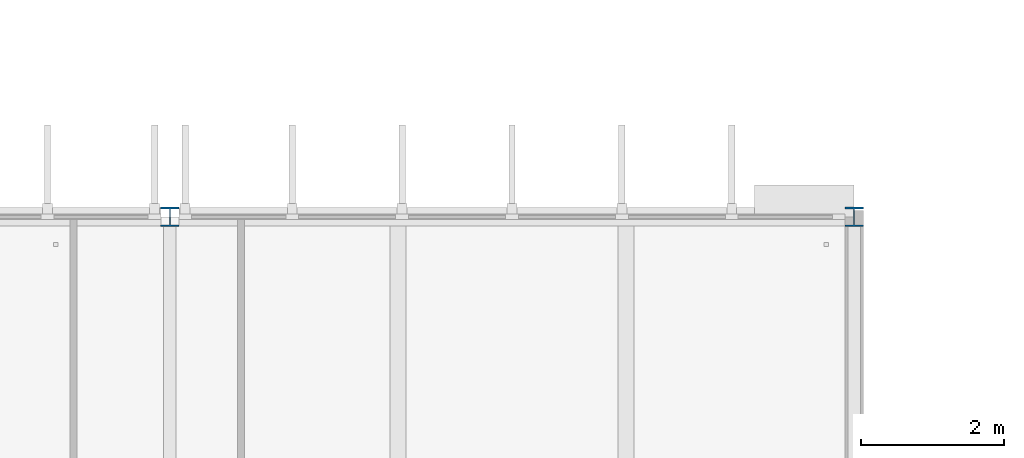
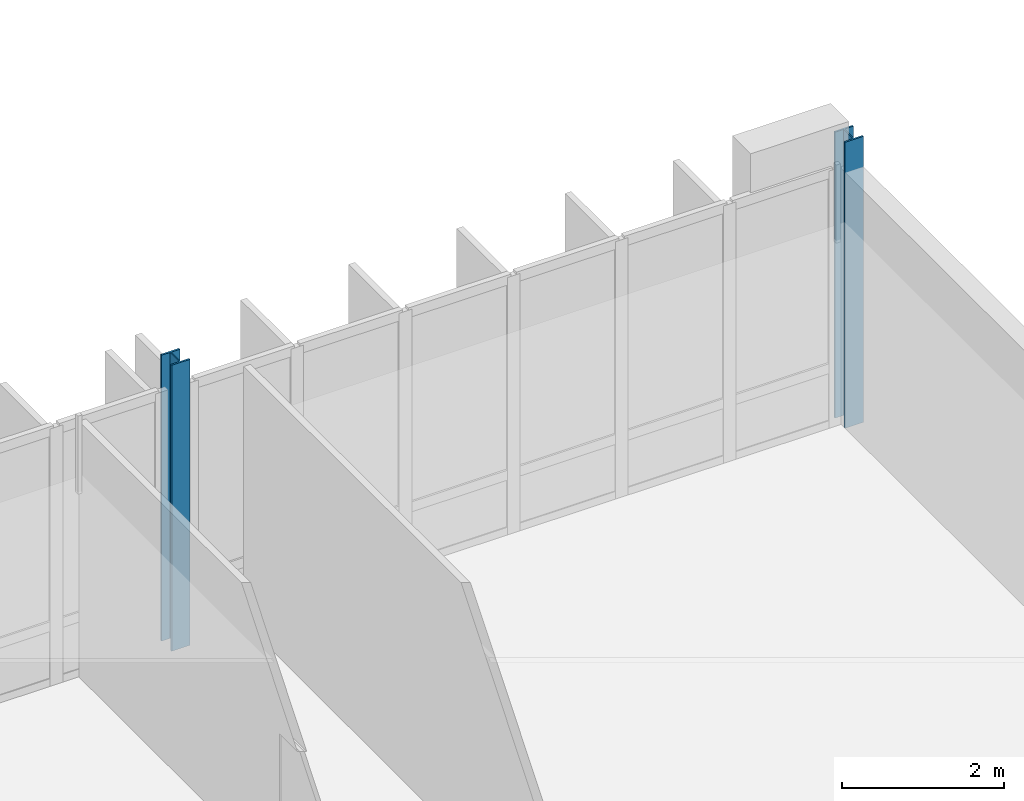
# One storey, part 8 of 59: 2 columns.
"""IFC4 building model written with IfcOpenShell, lengths in metres."""

import ifcopenshell
import ifcopenshell.guid

model = None  # the IFC model being written
_history = None  # IfcOwnerHistory: only IFC2X3 demands one
_inside = {}  # id of a spatial element -> (the spatial element, [elements in it])
_under = {}  # id of a project, library or spatial element -> (it, [spatial elements below it])
_declared = {}  # id of a project -> (the project, [libraries it declares])
_typed = {}  # id of a type object -> (the type object, [elements of that type])
_made_of = {}  # id of a material, layer set ... -> (it, [elements and type objects made of it])


def new_model(schema):
    """Start an empty IFC model of exactly this schema.

    Asked for "IFC4X3", IfcOpenShell would pick the latest addendum, in which some entities
    have other attributes; the version numbers below select the first issue.
    IFC2X3 requires an IfcOwnerHistory on every rooted entity: one is made here for all.
    """
    global model, _history
    if schema == "IFC4X3":
        model = ifcopenshell.file(schema_version=(4, 3, 0, 0))
    else:
        model = ifcopenshell.file(schema=schema)
    _inside.clear()
    _under.clear()
    _declared.clear()
    _typed.clear()
    _made_of.clear()
    _history = None
    if model.schema == "IFC2X3":
        org = make("IfcOrganization", Name="unknown")
        user = make(
            "IfcPersonAndOrganization",
            ThePerson=make("IfcPerson", FamilyName="unknown"),
            TheOrganization=org,
        )
        app = make(
            "IfcApplication",
            ApplicationDeveloper=org,
            Version="unknown",
            ApplicationFullName="unknown",
            ApplicationIdentifier="unknown",
        )
        _history = make(
            "IfcOwnerHistory",
            OwningUser=user,
            OwningApplication=app,
            ChangeAction="ADDED",
            CreationDate=0,
        )
    return model


def make(cls, **values):
    """One entity of the class cls with the attributes given. An attribute that is None is left unset."""
    return model.create_entity(
        cls, **{name: value for name, value in values.items() if value is not None}
    )


def rooted(cls, **values):
    """An entity with a GlobalId (a new one), such as an element, a storey or a relation."""
    return make(cls, GlobalId=ifcopenshell.guid.new(), OwnerHistory=_history, **values)


def si_unit(unit_type, name, prefix=None):
    """IfcSIUnit, for example si_unit("LENGTHUNIT", "METRE", prefix="MILLI")."""
    return make("IfcSIUnit", UnitType=unit_type, Prefix=prefix, Name=name)


def assignment(units):
    """IfcUnitAssignment: the units of a project."""
    return None if units is None else make("IfcUnitAssignment", Units=units)


def point(xyz):
    """IfcCartesianPoint."""
    return None if xyz is None else make("IfcCartesianPoint", Coordinates=xyz)


def direction(xyz):
    """IfcDirection."""
    return None if xyz is None else make("IfcDirection", DirectionRatios=xyz)


def frame(location, z_axis=None, x_axis=None):
    """IfcAxis2Placement3D, a coordinate frame: its origin and axes. An axis left out is left unset."""
    return make(
        "IfcAxis2Placement3D",
        Location=point(location),
        Axis=direction(z_axis),
        RefDirection=direction(x_axis),
    )


def frame_2d(location, x_axis=None):
    """IfcAxis2Placement2D, a coordinate frame in the plane: its origin and x axis."""
    return make(
        "IfcAxis2Placement2D", Location=point(location), RefDirection=direction(x_axis)
    )


def origin():
    """The frame at (0, 0, 0) with its axes left unset."""
    return frame((0.0, 0.0, 0.0))


def origin_2d():
    """The frame at (0, 0) in the plane with its x axis left unset."""
    return frame_2d((0.0, 0.0))


def place(relative_to, where):
    """IfcLocalPlacement: puts the frame where relative to a parent placement (None: the world)."""
    return make(
        "IfcLocalPlacement", PlacementRelTo=relative_to, RelativePlacement=where
    )


def context(
    kind, dimensions, precision=None, world=None, true_north=None, identifier=None
):
    """IfcGeometricRepresentationContext, for example the 3D "Model" context."""
    return make(
        "IfcGeometricRepresentationContext",
        ContextIdentifier=identifier,
        ContextType=kind,
        CoordinateSpaceDimension=dimensions,
        Precision=precision,
        WorldCoordinateSystem=world,
        TrueNorth=true_north,
    )


def subcontext(parent, identifier, kind, view, scale=None):
    """IfcGeometricRepresentationSubContext, for example "Body" below "Model"."""
    return make(
        "IfcGeometricRepresentationSubContext",
        ContextIdentifier=identifier,
        ContextType=kind,
        ParentContext=parent,
        TargetScale=scale,
        TargetView=view,
    )


def project(units=None, contexts=None):
    """IfcProject with its units and contexts."""
    return rooted(
        "IfcProject",
        Name="project",
        RepresentationContexts=contexts,
        UnitsInContext=assignment(units),
    )


def spatial(cls, under=None, at=None, **own):
    """A site, building, storey or space (cls), placed at a placement, below another one or the project."""
    s = rooted(cls, ObjectPlacement=at, **own)
    if under is not None:
        _under.setdefault(under.id(), (under, []))[1].append(s)
    return s


def profile(cls, at=None, kind="AREA", **sizes):
    """A parametric profile (cls). Its sizes go by their IFC names, for example OverallWidth=200.0."""
    return make(cls, ProfileType=kind, Position=at, **sizes)


def i_section(**sizes):
    """IfcIShapeProfileDef."""
    return profile("IfcIShapeProfileDef", **sizes)


def extrude(swept, where, along, depth):
    """IfcExtrudedAreaSolid: the profile swept, set in the frame where, extruded along a direction by depth."""
    return make(
        "IfcExtrudedAreaSolid",
        SweptArea=swept,
        Position=where,
        ExtrudedDirection=direction(along),
        Depth=depth,
    )


def shape(context_of_items, identifier, shape_type, items):
    """IfcShapeRepresentation: the items that make up one representation, for example the "Body"."""
    return make(
        "IfcShapeRepresentation",
        ContextOfItems=context_of_items,
        RepresentationIdentifier=identifier,
        RepresentationType=shape_type,
        Items=items,
    )


def material(Name=None, Category=None):
    """IfcMaterial."""
    return make("IfcMaterial", Name=Name, Category=Category)


def material_profile(
    of_material, cross_section, Name=None, Category=None, Priority=None
):
    """IfcMaterialProfile: a cross section and its material."""
    return make(
        "IfcMaterialProfile",
        Name=Name,
        Material=of_material,
        Profile=cross_section,
        Priority=Priority,
        Category=Category,
    )


def profile_set(profiles, Name=None, composite=None):
    """IfcMaterialProfileSet."""
    return make(
        "IfcMaterialProfileSet",
        Name=Name,
        MaterialProfiles=profiles,
        CompositeProfile=composite,
    )


def made_of(thing, what):
    """Note that an element or type object is made of a material, layer set ...; save() writes the relation."""
    if what is not None:
        _made_of.setdefault(what.id(), (what, []))[1].append(thing)
    return thing


def type_object(cls, material=None, **own):
    """A type object (cls), such as IfcWallType, which elements share."""
    return made_of(rooted(cls, **own), material)


def element(
    cls,
    number,
    at=None,
    inside=None,
    cuts=None,
    type_object=None,
    material=None,
    context=None,
    identifier="Body",
    shape_type=None,
    held_by="IfcProductDefinitionShape",
    body=None,
    shapes=None,
    **own,
):
    """One element of the class cls, such as IfcWall. Its Tag is "e" and its number.

    at: its placement. inside: the storey or other place that contains it. cuts: it is an
    opening in that element (IfcRelVoidsElement). A single representation is given by context,
    identifier, shape_type and body (its items); several are given by shapes. held_by: the class
    of the entity that holds the representations. save() writes the other relations.
    """
    e = rooted(cls, Tag="e%d" % number, ObjectPlacement=at, **own)
    if body is not None:
        shapes = [shape(context, identifier, shape_type, body)]
    if shapes is not None:
        e.Representation = make(held_by, Representations=shapes)
    if inside is not None:
        _inside.setdefault(inside.id(), (inside, []))[1].append(e)
    if cuts is not None:
        rooted(
            "IfcRelVoidsElement", RelatingBuildingElement=cuts, RelatedOpeningElement=e
        )
    if type_object is not None:
        _typed.setdefault(type_object.id(), (type_object, []))[1].append(e)
    return made_of(e, material)


def aggregate(whole, parts):
    """IfcRelAggregates: a whole, such as a stair, and the parts it consists of."""
    return rooted("IfcRelAggregates", RelatingObject=whole, RelatedObjects=parts)


def save(model, path):
    """Write the relations noted so far, then the file.

    IfcRelAggregates (storeys below a building ...), IfcRelContainedInSpatialStructure (elements
    in a storey), IfcRelDefinesByType, IfcRelAssociatesMaterial and IfcRelDeclares: one each for
    every whole, place, type object, material and project.
    """
    for whole, parts in _under.values():
        aggregate(whole, parts)
    for where, things in _inside.values():
        rooted(
            "IfcRelContainedInSpatialStructure",
            RelatedElements=things,
            RelatingStructure=where,
        )
    for kind, things in _typed.values():
        rooted("IfcRelDefinesByType", RelatedObjects=things, RelatingType=kind)
    for what, things in _made_of.values():
        rooted("IfcRelAssociatesMaterial", RelatedObjects=things, RelatingMaterial=what)
    for by, libraries in _declared.values():
        rooted("IfcRelDeclares", RelatingContext=by, RelatedDefinitions=libraries)
    model.write(path)


model = new_model("IFC4")

# Units and contexts
model_context = context("Model", 3, precision=1e-05, world=origin(), true_north=direction((0.0, 1.0)))
body_context = subcontext(model_context, "Body", "Model", "MODEL_VIEW")
ifc_project = project(units=[si_unit("LENGTHUNIT", "METRE"), si_unit("AREAUNIT", "SQUARE_METRE"), si_unit("VOLUMEUNIT", "CUBIC_METRE"), si_unit("PLANEANGLEUNIT", "RADIAN"), si_unit("MASSUNIT", "GRAM", prefix="KILO")], contexts=[model_context])

# Site, building, storey
site_placement = place(None, origin())
site = spatial("IfcSite", under=ifc_project, at=site_placement, CompositionType="ELEMENT")
building_placement = place(site_placement, origin())
building = spatial("IfcBuilding", under=site, at=building_placement, Name="Dunescarp Central Library", CompositionType="ELEMENT")
storey_placement = place(building_placement, frame((0.0, 0.0, 18.60009765625)))
storey = spatial("IfcBuildingStorey", under=building, at=storey_placement, Name="L04", CompositionType="ELEMENT", Elevation=18.60009765625)

# Columns
ifc_material = material(Name="Steel S355JR", Category="steel")
ifc_material_profile = material_profile(ifc_material, i_section(OverallWidth=0.26123046875, OverallDepth=0.2763671875, WebThickness=0.015380859375, FlangeThickness=0.025390625, at=origin_2d()), Name="UC 254x254x132")
ifc_profile_set = profile_set([ifc_material_profile], Name="Steel S355JR")
column_type = type_object("IfcColumnType", Name="STR-COL-UC254X132", PredefinedType="COLUMN", material=ifc_profile_set)
for number, where, z_axis, x_axis, name in (
    (1, (67.199951171875, 36.800048828125, 0.0), (0.0, 0.0, 1.0), (1.0, 0.0, 0.0), "L04 column V2-672-368"),
    (2, (76.800048828125, 36.800048828125, 0.0), (0.0, 0.0, 1.0), (1.0, 0.0, 0.0), "L04 column V2-768-368"),
):
    element("IfcColumn", number, at=place(storey_placement, frame(where, z_axis=z_axis, x_axis=x_axis)), inside=storey, type_object=column_type, Name=name, PredefinedType="COLUMN", context=body_context, shape_type="SweptSolid", body=[
        extrude(i_section(OverallWidth=0.26123046875, OverallDepth=0.2763671875, WebThickness=0.015380859375, FlangeThickness=0.025390625, at=origin_2d()), origin(), (0.0, 0.0, 1.0), 4.309814453125),
    ])

save(model, "model.ifc")
